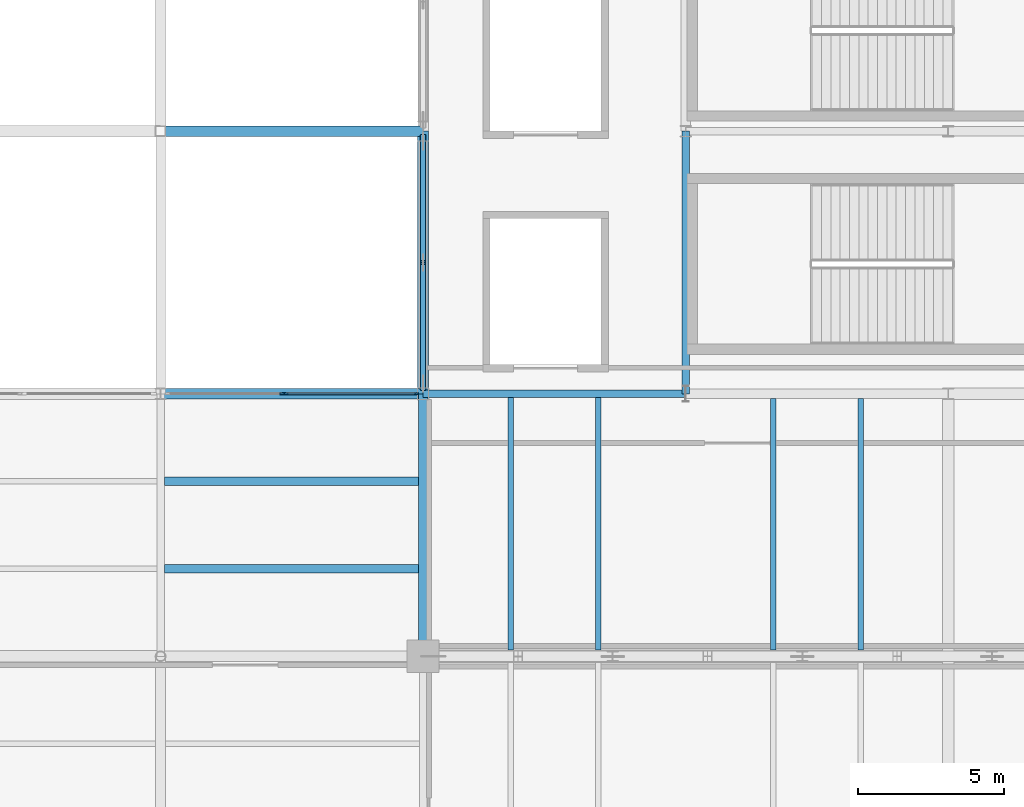
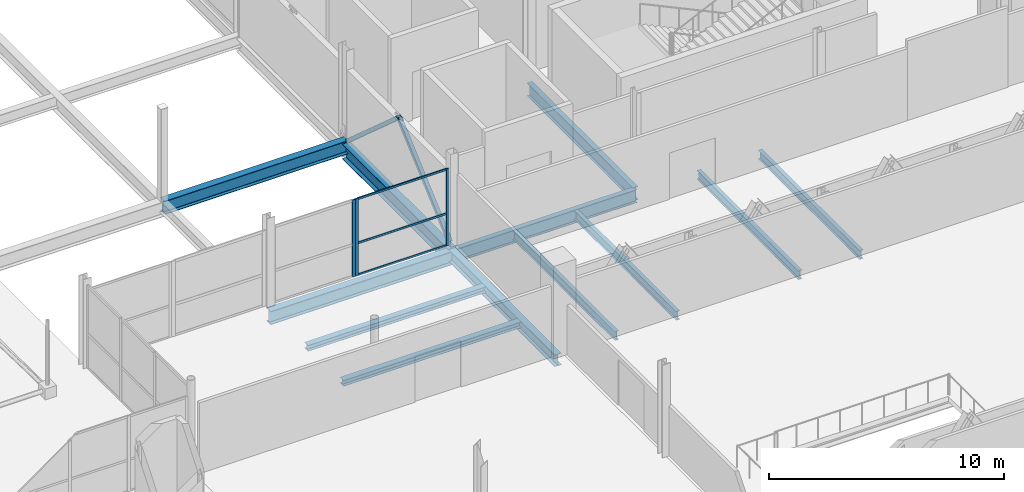
# One storey, part 137 of 224: 12 beams, 8 members, 2 elements without a shape of their own.
"""IFC4 building model written with IfcOpenShell, lengths in metres."""

from ifc_helpers import new_model, si_unit, direction, frame, origin, origin_2d, place, context, subcontext, project, spatial, rectangle, hollow_rectangle, i_section, extrude, material, layer, layer_set, material_profile, profile_set, type_object, element, aggregate, save


model = new_model("IFC4")

# Units and contexts
model_context = context("Model", 3, precision=1e-05, world=origin(), true_north=direction((0.0, 1.0)))
body_context = subcontext(model_context, "Body", "Model", "MODEL_VIEW")
ifc_project = project(units=[si_unit("LENGTHUNIT", "METRE"), si_unit("AREAUNIT", "SQUARE_METRE"), si_unit("VOLUMEUNIT", "CUBIC_METRE"), si_unit("PLANEANGLEUNIT", "RADIAN"), si_unit("MASSUNIT", "GRAM", prefix="KILO")], contexts=[model_context])

# Site, building, storey
site_placement = place(None, origin())
site = spatial("IfcSite", under=ifc_project, at=site_placement, CompositionType="ELEMENT")
building_placement = place(site_placement, origin())
building = spatial("IfcBuilding", under=site, at=building_placement, Name="Qamarlyn Nura Convention Centre", CompositionType="ELEMENT")
storey_placement = place(building_placement, frame((0.0, 0.0, 10.800048828125)))
storey = spatial("IfcBuildingStorey", under=building, at=storey_placement, Name="L02", CompositionType="ELEMENT", Elevation=10.800048828125)

# Beams
ifc_material_1 = material(Name="Steel ASTM A992", Category="steel")
ifc_material_profile_1 = material_profile(ifc_material_1, i_section(OverallWidth=0.323974609375, OverallDepth=0.611083984375, WebThickness=0.0126953125, FlangeThickness=0.01904296875, FilletRadius=0.01611328125, at=origin_2d()), Name="W610X155")
ifc_profile_set_1 = profile_set([ifc_material_profile_1], Name="Steel ASTM A992")
beam_type_1 = type_object("IfcBeamType", Name="BM-GIRD-610", PredefinedType="BEAM", material=ifc_profile_set_1)
beam_1_placement = place(storey_placement, frame((153.0, 45.0, -0.5654296875), z_axis=(0.0, 1.0, 0.0), x_axis=(-1.0, 0.0, 0.0)))
element("IfcBeam", 1, at=beam_1_placement, inside=storey, type_object=beam_type_1, Name="L02 girder 13 F-G", PredefinedType="BEAM", context=body_context, shape_type="SweptSolid", body=[
    extrude(i_section(OverallWidth=0.323974609375, OverallDepth=0.611083984375, WebThickness=0.0126953125, FlangeThickness=0.01904296875, FilletRadius=0.01611328125, at=origin_2d()), origin(), (0.0, 0.0, 1.0), 9.0),
])
ifc_material_profile_2 = material_profile(ifc_material_1, i_section(OverallWidth=0.35498046875, OverallDepth=0.695068359375, WebThickness=0.015380859375, FlangeThickness=0.02490234375, FilletRadius=0.01806640625, at=origin_2d()), Name="W690X217")
ifc_profile_set_2 = profile_set([ifc_material_profile_2], Name="Steel ASTM A992")
beam_type_2 = type_object("IfcBeamType", Name="BM-GIRD-690A", PredefinedType="BEAM", material=ifc_profile_set_2)
for number, where, z_axis, x_axis, name in (
    (2, (144.0, 54.0, -0.607666015625), (1.0, 0.0, 0.0), (0.0, 1.0, 0.0), "L02 girder G 12-13"),
    (3, (144.0, 63.0, -0.34765625), (1.0, 0.0, 0.0), (0.0, 1.0, 0.0), "L02 girder H 12-13"),
):
    element("IfcBeam", number, at=place(storey_placement, frame(where, z_axis=z_axis, x_axis=x_axis)), inside=storey, type_object=beam_type_2, Name=name, PredefinedType="BEAM", context=body_context, shape_type="SweptSolid", body=[
        extrude(i_section(OverallWidth=0.35498046875, OverallDepth=0.695068359375, WebThickness=0.015380859375, FlangeThickness=0.02490234375, FilletRadius=0.01806640625, at=origin_2d()), origin(), (0.0, 0.0, 1.0), 9.0),
    ])
ifc_material_profile_3 = material_profile(ifc_material_1, i_section(OverallWidth=0.25390625, OverallDepth=0.68408203125, WebThickness=0.012451171875, FlangeThickness=0.01904296875, FilletRadius=0.01806640625, at=origin_2d()), Name="W690X140")
ifc_profile_set_3 = profile_set([ifc_material_profile_3], Name="Steel ASTM A992")
beam_type_3 = type_object("IfcBeamType", Name="BM-GIRD-690B", PredefinedType="BEAM", material=ifc_profile_set_3)
for number, where, z_axis, x_axis, name in (
    (4, (153.0, 54.0, -0.60205078125), (1.0, 0.0, 0.0), (0.0, 1.0, 0.0), "L02 girder G 13-14"),
    (5, (162.0, 54.0, -0.56201171875), (0.0, 1.0, 0.0), (-1.0, 0.0, 0.0), "L02 girder 14 G-H"),
):
    element("IfcBeam", number, at=place(storey_placement, frame(where, z_axis=z_axis, x_axis=x_axis)), inside=storey, type_object=beam_type_3, Name=name, PredefinedType="BEAM", context=body_context, shape_type="SweptSolid", body=[
        extrude(i_section(OverallWidth=0.25390625, OverallDepth=0.68408203125, WebThickness=0.012451171875, FlangeThickness=0.01904296875, FilletRadius=0.01806640625, at=origin_2d()), origin(), (0.0, 0.0, 1.0), 9.0),
    ])
ifc_material_profile_4 = material_profile(ifc_material_1, i_section(OverallWidth=0.381103515625, OverallDepth=0.77294921875, WebThickness=0.0166015625, FlangeThickness=0.027587890625, FilletRadius=0.02001953125, at=origin_2d()), Name="W760X257")
ifc_profile_set_4 = profile_set([ifc_material_profile_4], Name="Steel ASTM A992")
beam_type_4 = type_object("IfcBeamType", Name="BM-GIRD-760", PredefinedType="BEAM", material=ifc_profile_set_4)
beam_2_placement = place(storey_placement, frame((153.0, 54.0, -0.6064453125), z_axis=(0.0, 1.0, 0.0), x_axis=(-1.0, 0.0, 0.0)))
element("IfcBeam", 6, at=beam_2_placement, inside=storey, type_object=beam_type_4, Name="L02 girder 13 G-H", PredefinedType="BEAM", context=body_context, shape_type="SweptSolid", body=[
    extrude(i_section(OverallWidth=0.381103515625, OverallDepth=0.77294921875, WebThickness=0.0166015625, FlangeThickness=0.027587890625, FilletRadius=0.02001953125, at=origin_2d()), origin(), (0.0, 0.0, 1.0), 9.0),
])
ifc_material_profile_5 = material_profile(ifc_material_1, i_section(OverallWidth=0.304931640625, OverallDepth=0.30810546875, WebThickness=0.010009765625, FlangeThickness=0.015380859375, FilletRadius=0.014892578125, at=origin_2d()), Name="W310X97")
ifc_profile_set_5 = profile_set([ifc_material_profile_5], Name="Steel ASTM A992")
beam_type_5 = type_object("IfcBeamType", Name="BM-JOIST-310", PredefinedType="JOIST", material=ifc_profile_set_5)
for number, where, z_axis, x_axis, name in (
    (7, (144.126953125, 48.0, -0.4140625), (1.0, 0.0, 0.0), (0.0, 1.0, 0.0), "L02 composite joist 12-13/F+1"),
    (8, (144.126953125, 51.0, -0.4140625), (1.0, 0.0, 0.0), (0.0, 1.0, 0.0), "L02 composite joist 12-13/F+2"),
):
    element("IfcBeam", number, at=place(storey_placement, frame(where, z_axis=z_axis, x_axis=x_axis)), inside=storey, type_object=beam_type_5, Name=name, PredefinedType="JOIST", context=body_context, shape_type="SweptSolid", body=[
        extrude(i_section(OverallWidth=0.304931640625, OverallDepth=0.30810546875, WebThickness=0.010009765625, FlangeThickness=0.015380859375, FilletRadius=0.014892578125, at=origin_2d()), origin(), (0.0, 0.0, 1.0), 8.7109375),
    ])
ifc_material_profile_6 = material_profile(ifc_material_1, i_section(OverallWidth=0.18994140625, OverallDepth=0.45703125, WebThickness=0.009033203125, FlangeThickness=0.014404296875, FilletRadius=0.012939453125, at=origin_2d()), Name="W460X74")
ifc_profile_set_6 = profile_set([ifc_material_profile_6], Name="Steel ASTM A992")
beam_type_6 = type_object("IfcBeamType", Name="BM-JOIST-460", PredefinedType="JOIST", material=ifc_profile_set_6)
for number, where, z_axis, x_axis, name in (
    (9, (156.0, 45.208984375, -0.488525390625), (0.0, 1.0, 0.0), (-1.0, 0.0, 0.0), "L02 secondary joist 13-14/F-G-07"),
    (10, (159.0, 45.208984375, -0.488525390625), (0.0, 1.0, 0.0), (-1.0, 0.0, 0.0), "L02 secondary joist 13-14/F-G-08"),
):
    element("IfcBeam", number, at=place(storey_placement, frame(where, z_axis=z_axis, x_axis=x_axis)), inside=storey, type_object=beam_type_6, Name=name, PredefinedType="JOIST", context=body_context, shape_type="SweptSolid", body=[
        extrude(i_section(OverallWidth=0.18994140625, OverallDepth=0.45703125, WebThickness=0.009033203125, FlangeThickness=0.014404296875, FilletRadius=0.012939453125, at=origin_2d()), origin(), (0.0, 0.0, 1.0), 8.6640625),
    ])
for number, where, z_axis, x_axis, name in (
    (11, (165.0, 45.208984375, -0.488525390625), (0.0, 1.0, 0.0), (-1.0, 0.0, 0.0), "L02 secondary joist 14-15/F-G-17"),
    (12, (168.0, 45.208984375, -0.488525390625), (0.0, 1.0, 0.0), (-1.0, 0.0, 0.0), "L02 secondary joist 14-15/F-G-18"),
):
    element("IfcBeam", number, at=place(storey_placement, frame(where, z_axis=z_axis, x_axis=x_axis)), inside=storey, type_object=beam_type_6, Name=name, PredefinedType="JOIST", context=body_context, shape_type="SweptSolid", body=[
        extrude(i_section(OverallWidth=0.18994140625, OverallDepth=0.45703125, WebThickness=0.009033203125, FlangeThickness=0.014404296875, FilletRadius=0.012939453125, at=origin_2d()), origin(), (0.0, 0.0, 1.0), 8.62890625),
    ])

# Members
ifc_material_2 = material(Name="Steel ASTM A500 Grade C", Category="steel")
ifc_material_profile_7 = material_profile(ifc_material_2, hollow_rectangle(XDim=0.199951171875, YDim=0.199951171875, WallThickness=0.010009765625, InnerFilletRadius=0.010009765625, OuterFilletRadius=0.02001953125, at=origin_2d()), Name="HSS200X200X10")
ifc_profile_set_7 = profile_set([ifc_material_profile_7], Name="Steel ASTM A500 Grade C")
member_type_1 = type_object("IfcMemberType", Name="CBF-BRC-200", PredefinedType="BRACE", material=ifc_profile_set_7)
for number, where, z_axis, x_axis, name in (
    (13, (153.0, 54.179931640625, 0.0), (0.0, 0.748540186518, 0.66308942773), (-1.0, 0.0, 0.0), "L02 SCBF chevron brace CBF-E3L"),
    (14, (153.0, 62.820068359375, 0.0), (0.0, -0.748540186518, 0.66308942773), (1.0, 0.0, 0.0), "L02 SCBF chevron brace CBF-E3R"),
):
    element("IfcMember", number, at=place(storey_placement, frame(where, z_axis=z_axis, x_axis=x_axis)), inside=storey, type_object=member_type_1, Name=name, PredefinedType="BRACE", context=body_context, shape_type="SweptSolid", body=[
        extrude(hollow_rectangle(XDim=0.199951171875, YDim=0.199951171875, WallThickness=0.010009765625, InnerFilletRadius=0.010009765625, OuterFilletRadius=0.02001953125, at=origin_2d()), origin(), (0.0, 0.0, 1.0), 5.771240234375),
    ])

# Curtain wall, members
ifc_material_3 = material(Name="Double-silver low-E insulated glass", Category="glass")
ifc_layer_1 = layer(ifc_material_3, 0.179931640625, Name="CW-UNIT-110")
ifc_layer_set_1 = layer_set([ifc_layer_1], Name="Double-silver low-E insulated glass")
curtain_wall_type_1 = type_object("IfcCurtainWallType", Name="CW-UNIT-110", PredefinedType="NOTDEFINED", material=ifc_layer_set_1)
curtain_wall_1_placement = place(storey_placement, origin())
curtain_wall_1 = element("IfcCurtainWall", 15, at=curtain_wall_1_placement, inside=storey, type_object=curtain_wall_type_1, Name="L02 unitised curtain wall BLW-NE-2B", PredefinedType="NOTDEFINED")
ifc_material_4 = material(Name="Champagne-anodised marine aluminium", Category="aluminium")
ifc_material_profile_8 = material_profile(ifc_material_4, rectangle(XDim=0.06005859375, YDim=0.139892578125, at=origin_2d()), Name="ALU MULLION 60x140")
ifc_profile_set_8 = profile_set([ifc_material_profile_8], Name="Champagne-anodised marine aluminium")
member_type_2 = type_object("IfcMemberType", Name="CWM-140", PredefinedType="MULLION", material=ifc_profile_set_8)
member_1_placement = place(storey_placement, frame((148.311767578125, 54.0, 0.0), z_axis=(0.0, 0.0, 1.0), x_axis=(0.0, 1.0, 0.0)))
member_1 = element("IfcMember", 16, at=member_1_placement, type_object=member_type_2, Name="CW110 mullion 1", PredefinedType="MULLION", context=body_context, shape_type="SweptSolid", body=[
    extrude(rectangle(XDim=0.06005859375, YDim=0.139892578125, at=origin_2d()), origin(), (0.0, 0.0, 1.0), 3.993896484375),
])
member_2_placement = place(storey_placement, frame((152.77001953125, 54.0, 0.0), z_axis=(0.0, 0.0, 1.0), x_axis=(0.0, 1.0, 0.0)))
member_2 = element("IfcMember", 17, at=member_2_placement, type_object=member_type_2, Name="CW110 mullion 2", PredefinedType="MULLION", context=body_context, shape_type="SweptSolid", body=[
    extrude(rectangle(XDim=0.06005859375, YDim=0.139892578125, at=origin_2d()), origin(), (0.0, 0.0, 1.0), 3.993896484375),
])

# Curtain wall, member
ifc_layer_2 = layer(ifc_material_3, 0.179931640625, Name="CW-UNIT-109")
ifc_layer_set_2 = layer_set([ifc_layer_2], Name="Double-silver low-E insulated glass")
curtain_wall_type_2 = type_object("IfcCurtainWallType", Name="CW-UNIT-109", PredefinedType="NOTDEFINED", material=ifc_layer_set_2)
curtain_wall_2_placement = place(storey_placement, origin())
curtain_wall_2 = element("IfcCurtainWall", 18, at=curtain_wall_2_placement, inside=storey, type_object=curtain_wall_type_2, Name="L02 unitised curtain wall BLW-NE-2A", PredefinedType="NOTDEFINED")
ifc_material_profile_9 = material_profile(ifc_material_4, rectangle(XDim=0.06494140625, YDim=0.159912109375, at=origin_2d()), Name="ALU MULLION 65x160")
ifc_profile_set_9 = profile_set([ifc_material_profile_9], Name="Champagne-anodised marine aluminium")
member_type_3 = type_object("IfcMemberType", Name="CWM-160", PredefinedType="MULLION", material=ifc_profile_set_9)
member_3_placement = place(storey_placement, frame((148.169189453125, 54.0, 0.0), z_axis=(0.0, 0.0, 1.0), x_axis=(0.0, 1.0, 0.0)))
member_3 = element("IfcMember", 19, at=member_3_placement, type_object=member_type_3, Name="CW109 mullion 2", PredefinedType="MULLION", context=body_context, shape_type="SweptSolid", body=[
    extrude(rectangle(XDim=0.06494140625, YDim=0.159912109375, at=origin_2d()), origin(), (0.0, 0.0, 1.0), 3.993896484375),
])
aggregate(curtain_wall_2, [member_3])

# Member
ifc_material_profile_10 = material_profile(ifc_material_4, rectangle(XDim=0.06005859375, YDim=0.10009765625, at=origin_2d()), Name="ALU TRANSOM 60x100")
ifc_profile_set_10 = profile_set([ifc_material_profile_10], Name="Champagne-anodised marine aluminium")
member_type_4 = type_object("IfcMemberType", Name="CWT-100", PredefinedType="USERDEFINED", material=ifc_profile_set_10)
member_4_placement = place(storey_placement, frame((148.341796875, 54.0, 0.030029296875), z_axis=(1.0, 0.0, 0.0), x_axis=(0.0, 1.0, 0.0)))
member_4 = element("IfcMember", 20, at=member_4_placement, type_object=member_type_4, Name="CW110 transom 1.1", ObjectType="TRANSOM", PredefinedType="USERDEFINED", context=body_context, shape_type="SweptSolid", body=[
    extrude(rectangle(XDim=0.06005859375, YDim=0.10009765625, at=origin_2d()), origin(), (0.0, 0.0, 1.0), 4.398193359375),
])

member_5_placement = place(storey_placement, frame((148.341796875, 54.0, 1.677001953125), z_axis=(1.0, 0.0, 0.0), x_axis=(0.0, 1.0, 0.0)))
member_5 = element("IfcMember", 21, at=member_5_placement, type_object=member_type_4, Name="CW110 transom 1.2", ObjectType="TRANSOM", PredefinedType="USERDEFINED", context=body_context, shape_type="SweptSolid", body=[
    extrude(rectangle(XDim=0.06005859375, YDim=0.10009765625, at=origin_2d()), origin(), (0.0, 0.0, 1.0), 4.398193359375),
])

member_6_placement = place(storey_placement, frame((148.341796875, 54.0, 3.9638671875), z_axis=(1.0, 0.0, 0.0), x_axis=(0.0, 1.0, 0.0)))
member_6 = element("IfcMember", 22, at=member_6_placement, type_object=member_type_4, Name="CW110 transom 1.3", ObjectType="TRANSOM", PredefinedType="USERDEFINED", context=body_context, shape_type="SweptSolid", body=[
    extrude(rectangle(XDim=0.06005859375, YDim=0.10009765625, at=origin_2d()), origin(), (0.0, 0.0, 1.0), 4.398193359375),
])

aggregate(curtain_wall_1, [member_1, member_2, member_4, member_5, member_6])

save(model, "model.ifc")
